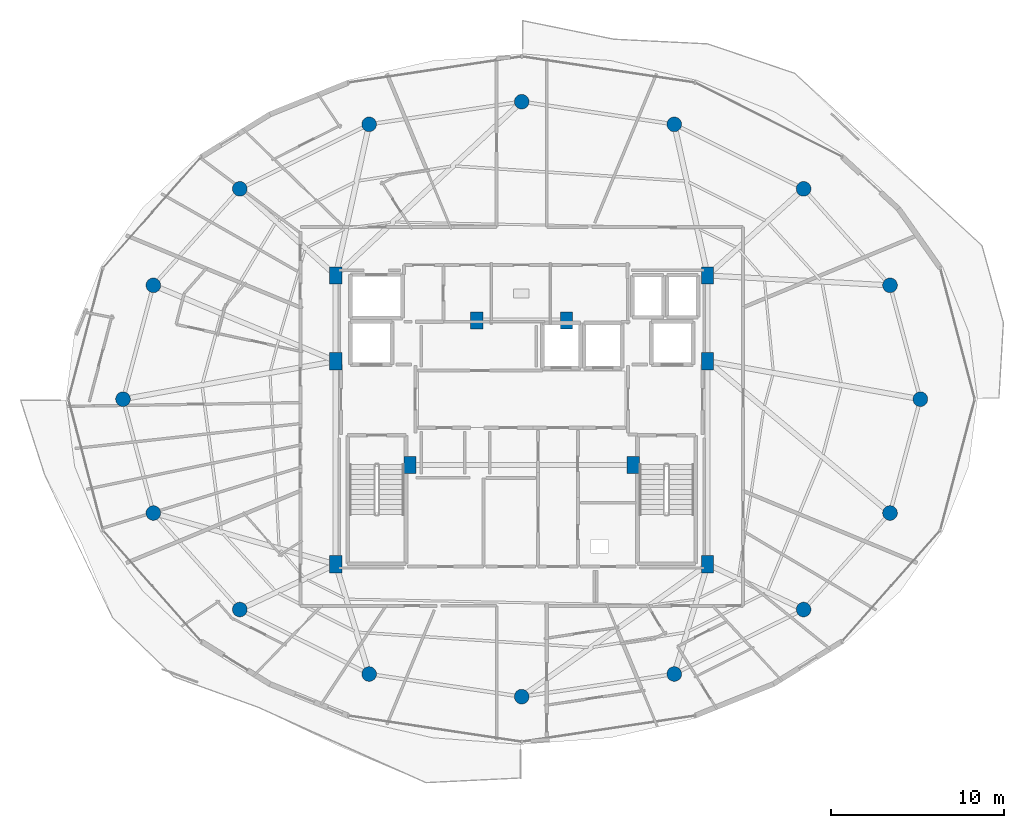
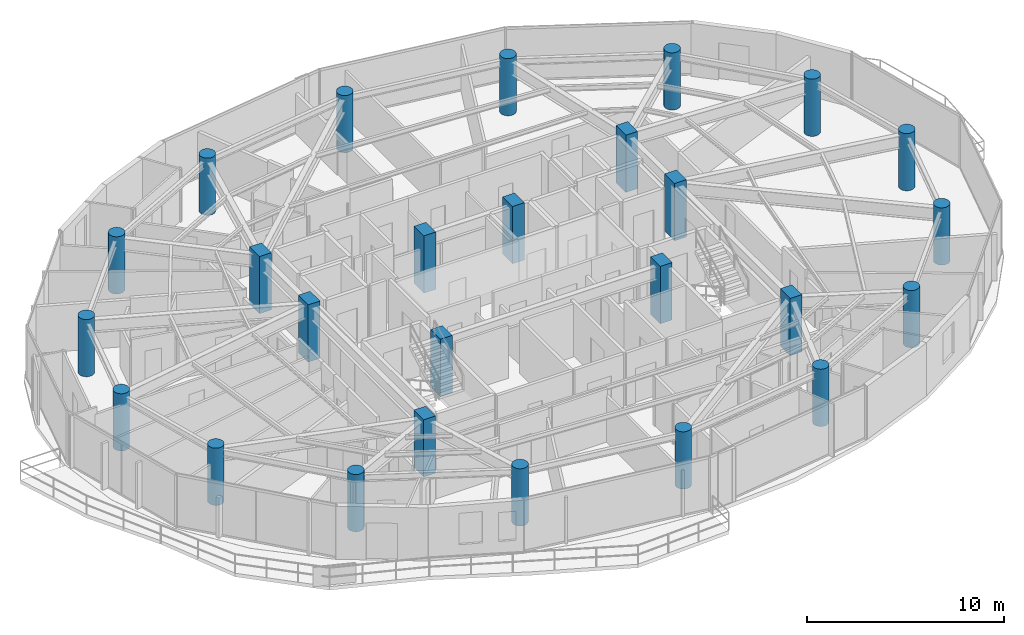
# One storey, part 1 of 30: 26 columns.
"""IFC4 building model written with IfcOpenShell, lengths in metres."""

from ifc_helpers import new_model, si_unit, direction, frame, origin, origin_2d, place, context, subcontext, project, spatial, rectangle, circle, extrude, material, material_profile, profile_set, type_object, element, save


model = new_model("IFC4")

# Units and contexts
model_context = context("Model", 3, precision=1e-05, world=origin(), true_north=direction((0.0, 1.0)))
body_context = subcontext(model_context, "Body", "Model", "MODEL_VIEW")
ifc_project = project(units=[si_unit("LENGTHUNIT", "METRE"), si_unit("AREAUNIT", "SQUARE_METRE"), si_unit("VOLUMEUNIT", "CUBIC_METRE"), si_unit("PLANEANGLEUNIT", "RADIAN"), si_unit("MASSUNIT", "GRAM", prefix="KILO")], contexts=[model_context])

# Site, building, storey
site_placement = place(None, origin())
site = spatial("IfcSite", under=ifc_project, at=site_placement, CompositionType="ELEMENT")
building_placement = place(site_placement, origin())
building = spatial("IfcBuilding", under=site, at=building_placement, Name="Vorneva Point Tower", CompositionType="ELEMENT")
storey_placement = place(building_placement, frame((0.0, 0.0, 252.0)))
storey = spatial("IfcBuildingStorey", under=building, at=storey_placement, Name="L68", CompositionType="ELEMENT", Elevation=252.0)

# Columns
ifc_material = material(Name="Concrete B50 (C40/50)", Category="concrete")
ifc_material_profile_1 = material_profile(ifc_material, circle(Radius=0.425048828125, at=origin_2d()), Name="RC-CIRC 850")
ifc_profile_set_1 = profile_set([ifc_material_profile_1], Name="Concrete B50 (C40/50)")
column_type_1 = type_object("IfcColumnType", Name="COL-RC850C", PredefinedType="COLUMN", material=ifc_profile_set_1)
for number, where, z_axis, x_axis, name in (
    (1, (61.050048828125, 26.0, 0.0), (0.0, 0.0, 1.0), (1.0, 0.0, 0.0), "L68 Perimeter Column P01"),
    (2, (59.29541015625, 32.582275390625, 0.0), (0.0, 0.0, 1.0), (0.923879532511, 0.382683432365, 0.0), "L68 Perimeter Column P02"),
    (3, (54.298828125, 38.162109375, 0.0), (0.0, 0.0, 1.0), (0.707106781187, 0.707106781187, 0.0), "L68 Perimeter Column P03"),
    (4, (46.82080078125, 41.890625, 0.0), (0.0, 0.0, 1.0), (0.382683432365, 0.923879532511, 0.0), "L68 Perimeter Column P04"),
    (5, (38.0, 43.199951171875, 0.0), (0.0, 0.0, 1.0), (0.0, 1.0, 0.0), "L68 Perimeter Column P05"),
    (6, (29.17919921875, 41.890625, 0.0), (0.0, 0.0, 1.0), (-0.382683432365, 0.923879532511, 0.0), "L68 Perimeter Column P06"),
    (7, (21.701171875, 38.162109375, 0.0), (0.0, 0.0, 1.0), (-0.707106781187, 0.707106781187, 0.0), "L68 Perimeter Column P07"),
    (8, (16.70458984375, 32.582275390625, 0.0), (0.0, 0.0, 1.0), (-0.923879532511, 0.382683432365, 0.0), "L68 Perimeter Column P08"),
    (9, (14.949951171875, 26.0, 0.0), (0.0, 0.0, 1.0), (-1.0, 0.0, 0.0), "L68 Perimeter Column P09"),
    (10, (16.70458984375, 19.417724609375, 0.0), (0.0, 0.0, 1.0), (-0.923879532511, -0.382683432365, 0.0), "L68 Perimeter Column P10"),
    (11, (21.701171875, 13.837890625, 0.0), (0.0, 0.0, 1.0), (-0.707106781187, -0.707106781187, 0.0), "L68 Perimeter Column P11"),
    (12, (29.17919921875, 10.109375, 0.0), (0.0, 0.0, 1.0), (-0.382683432365, -0.923879532511, 0.0), "L68 Perimeter Column P12"),
    (13, (38.0, 8.800048828125, 0.0), (0.0, 0.0, 1.0), (0.0, -1.0, 0.0), "L68 Perimeter Column P13"),
    (14, (46.82080078125, 10.109375, 0.0), (0.0, 0.0, 1.0), (0.382683432365, -0.923879532511, 0.0), "L68 Perimeter Column P14"),
    (15, (54.298828125, 13.837890625, 0.0), (0.0, 0.0, 1.0), (0.707106781187, -0.707106781187, 0.0), "L68 Perimeter Column P15"),
    (16, (59.29541015625, 19.417724609375, 0.0), (0.0, 0.0, 1.0), (0.923879532511, -0.382683432365, 0.0), "L68 Perimeter Column P16"),
):
    element("IfcColumn", number, at=place(storey_placement, frame(where, z_axis=z_axis, x_axis=x_axis)), inside=storey, type_object=column_type_1, Name=name, PredefinedType="COLUMN", context=body_context, shape_type="SweptSolid", body=[
        extrude(circle(Radius=0.425048828125, at=origin_2d()), origin(), (0.0, 0.0, 1.0), 3.550048828125),
    ])
ifc_material_profile_2 = material_profile(ifc_material, rectangle(XDim=0.699951171875, YDim=1.0, at=origin_2d()), Name="RC-PIL 1000x700")
ifc_profile_set_2 = profile_set([ifc_material_profile_2], Name="Concrete B50 (C40/50)")
column_type_2 = type_object("IfcColumnType", Name="PIL-RC1000x700", PredefinedType="PILASTER", material=ifc_profile_set_2)
for number, where, z_axis, x_axis, name in (
    (17, (27.25, 16.449951171875, 0.0), (0.0, 0.0, 1.0), (1.0, 0.0, 0.0), "L68 Core Pilaster CP1"),
    (18, (27.25, 28.199951171875, 0.0), (0.0, 0.0, 1.0), (1.0, 0.0, 0.0), "L68 Core Pilaster CP2"),
    (19, (27.25, 33.14990234375, 0.0), (0.0, 0.0, 1.0), (1.0, 0.0, 0.0), "L68 Core Pilaster CP3"),
    (20, (31.550048828125, 22.199951171875, 0.0), (0.0, 0.0, 1.0), (1.0, 0.0, 0.0), "L68 Core Pilaster CP4"),
    (21, (48.75, 33.14990234375, 0.0), (0.0, 0.0, 1.0), (1.0, 0.0, 0.0), "L68 Core Pilaster CP5"),
    (22, (48.75, 28.199951171875, 0.0), (0.0, 0.0, 1.0), (1.0, 0.0, 0.0), "L68 Core Pilaster CP6"),
    (23, (48.75, 16.449951171875, 0.0), (0.0, 0.0, 1.0), (1.0, 0.0, 0.0), "L68 Core Pilaster CP7"),
    (24, (44.449951171875, 22.199951171875, 0.0), (0.0, 0.0, 1.0), (1.0, 0.0, 0.0), "L68 Core Pilaster CP8"),
    (25, (35.39990234375, 30.550048828125, 0.0), (0.0, 0.0, 1.0), (1.0, 0.0, 0.0), "L68 Core Pilaster CP9"),
    (26, (40.60009765625, 30.550048828125, 0.0), (0.0, 0.0, 1.0), (1.0, 0.0, 0.0), "L68 Core Pilaster CP10"),
):
    element("IfcColumn", number, at=place(storey_placement, frame(where, z_axis=z_axis, x_axis=x_axis)), inside=storey, type_object=column_type_2, Name=name, PredefinedType="PILASTER", context=body_context, shape_type="SweptSolid", body=[
        extrude(rectangle(XDim=0.699951171875, YDim=1.0, at=origin_2d()), origin(), (0.0, 0.0, 1.0), 3.550048828125),
    ])

save(model, "model.ifc")
